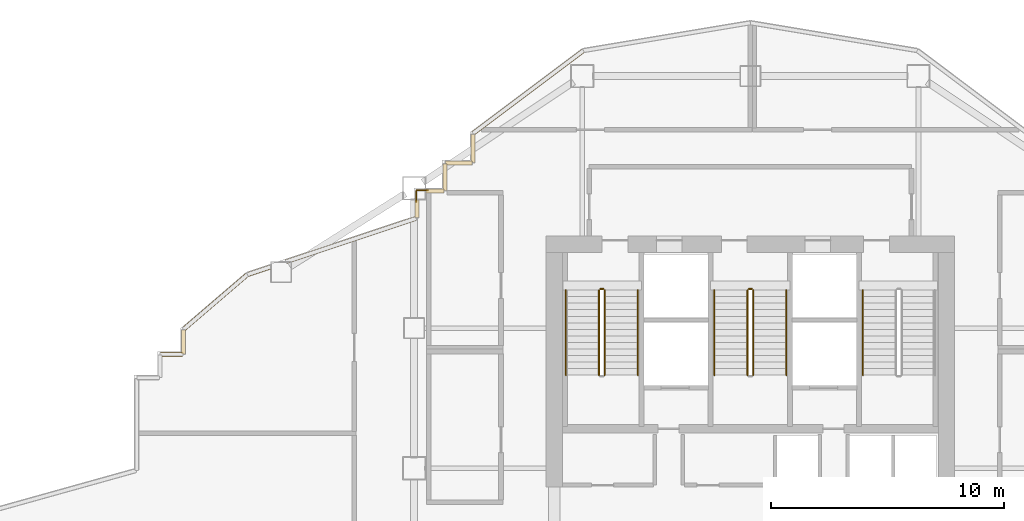
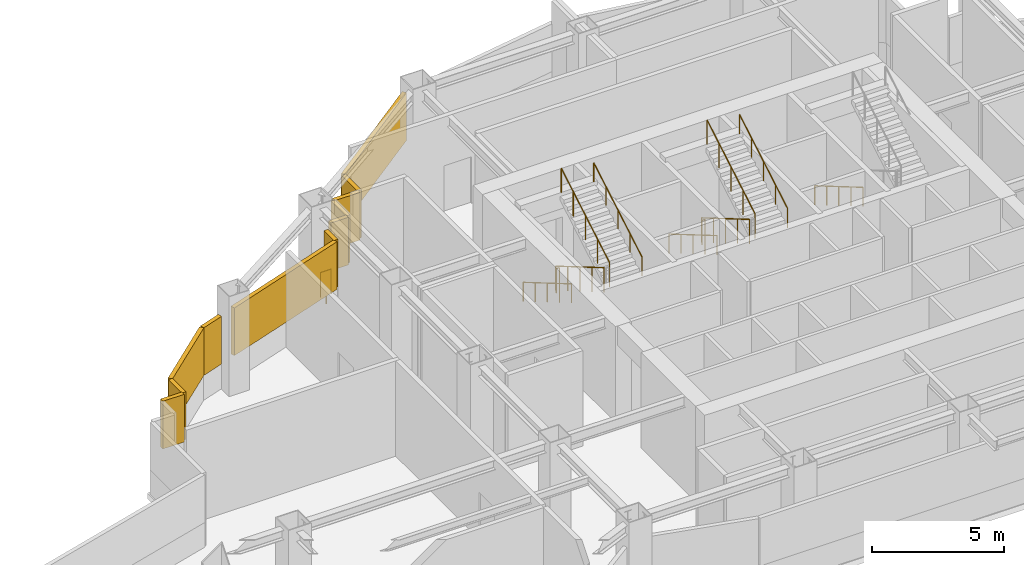
# One storey, part 10 of 12: 13 railings, 11 shading devices.
"""IFC4 building model written with IfcOpenShell, lengths in metres."""

from ifc_helpers import new_model, si_unit, direction, frame, origin, origin_2d, place, context, subcontext, project, spatial, rectangle, circle, extrude, material, type_object, element, save


model = new_model("IFC4")

# Units and contexts
model_context = context("Model", 3, precision=1e-05, world=origin(), true_north=direction((0.0, 1.0)))
body_context = subcontext(model_context, "Body", "Model", "MODEL_VIEW")
ifc_project = project(units=[si_unit("LENGTHUNIT", "METRE"), si_unit("AREAUNIT", "SQUARE_METRE"), si_unit("VOLUMEUNIT", "CUBIC_METRE"), si_unit("PLANEANGLEUNIT", "RADIAN"), si_unit("MASSUNIT", "GRAM", prefix="KILO")], contexts=[model_context])

# Site, building, storey
site_placement = place(None, origin())
site = spatial("IfcSite", under=ifc_project, at=site_placement, CompositionType="ELEMENT")
building_placement = place(site_placement, origin())
building = spatial("IfcBuilding", under=site, at=building_placement, Name="Haolan Belvedere Tower", CompositionType="ELEMENT")
storey_placement = place(building_placement, frame((0.0, 0.0, 136.39990234375)))
storey = spatial("IfcBuildingStorey", under=building, at=storey_placement, Name="L34", CompositionType="ELEMENT", Elevation=136.39990234375)

# Railings
ifc_material_1 = material(Name="Galvanised powder-coated steel guardrail", Category="steel")
railing_type_1 = type_object("IfcRailingType", Name="RL-REF-GRD-1150", PredefinedType="GUARDRAIL", material=ifc_material_1)
railing_1_placement = place(storey_placement, frame((24.090087890625, 45.010009765625, 0.0)))
element("IfcRailing", 1, at=railing_1_placement, inside=storey, type_object=railing_type_1, Name="L34 refuge corner safety guardrail 7A", PredefinedType="GUARDRAIL", context=body_context, shape_type="SweptSolid", body=[
    extrude(circle(Radius=0.02392578125, at=origin_2d()), frame((0.0, 0.0, 1.1259765625), z_axis=(0.0, 1.0, 0.0), x_axis=(-1.0, 0.0, 0.0)), (0.0, 0.0, 1.0), 0.469970703125),
    extrude(circle(Radius=0.02099609375, at=origin_2d()), origin(), (0.0, 0.0, 1.0), 1.101806640625),
    extrude(circle(Radius=0.02099609375, at=origin_2d()), frame((0.0, 0.469970703125, 0.0)), (0.0, 0.0, 1.0), 1.101806640625),
])
railing_2_placement = place(storey_placement, frame((24.1201171875, 45.510009765625, 0.0)))
element("IfcRailing", 2, at=railing_2_placement, inside=storey, type_object=railing_type_1, Name="L34 refuge corner safety guardrail 7B", PredefinedType="GUARDRAIL", context=body_context, shape_type="SweptSolid", body=[
    extrude(circle(Radius=0.02392578125, at=origin_2d()), frame((0.0, 0.0, 1.1259765625), z_axis=(1.0, 0.0, 0.0), x_axis=(0.0, 1.0, 0.0)), (0.0, 0.0, 1.0), 0.469970703125),
    extrude(circle(Radius=0.02099609375, at=origin_2d()), origin(), (0.0, 0.0, 1.0), 1.101806640625),
    extrude(circle(Radius=0.02099609375, at=origin_2d()), frame((0.469970703125, 0.0, 0.0)), (0.0, 0.0, 1.0), 1.101806640625),
])
ifc_material_2 = material(Name="Brushed stainless steel 304", Category="steel")
railing_type_2 = type_object("IfcRailingType", Name="RL-STAIR-GRD-1150", PredefinedType="GUARDRAIL", material=ifc_material_2)
railing_3_placement = place(storey_placement, frame((31.919921875, 41.22998046875, 0.164306640625)))
element("IfcRailing", 3, at=railing_3_placement, inside=storey, type_object=railing_type_2, Name="L34 ST1 stair guard 1", PredefinedType="GUARDRAIL", context=body_context, shape_type="SweptSolid", body=[
    extrude(circle(Radius=0.02392578125, at=origin_2d()), frame((0.0, 0.0, 1.1259765625), z_axis=(0.0, -0.862489892076, 0.506074289079), x_axis=(1.0, 0.0, 0.0)), (0.0, 0.0, 1.0), 4.22021484375),
    extrude(circle(Radius=0.02099609375, at=origin_2d()), origin(), (0.0, 0.0, 1.0), 1.101806640625),
    extrude(circle(Radius=0.02099609375, at=origin_2d()), frame((0.0, -0.909912109375, 0.533935546875)), (0.0, 0.0, 1.0), 1.101806640625),
    extrude(circle(Radius=0.02099609375, at=origin_2d()), frame((0.0, -1.81982421875, 1.06787109375)), (0.0, 0.0, 1.0), 1.101806640625),
    extrude(circle(Radius=0.02099609375, at=origin_2d()), frame((0.0, -2.72998046875, 1.601806640625)), (0.0, 0.0, 1.0), 1.101806640625),
    extrude(circle(Radius=0.02099609375, at=origin_2d()), frame((0.0, -3.639892578125, 2.1357421875)), (0.0, 0.0, 1.0), 1.101806640625),
])
railing_4_placement = place(storey_placement, frame((32.159912109375, 37.590087890625, 2.46435546875)))
element("IfcRailing", 4, at=railing_4_placement, inside=storey, type_object=railing_type_2, Name="L34 ST1 stair guard 3", PredefinedType="GUARDRAIL", context=body_context, shape_type="SweptSolid", body=[
    extrude(circle(Radius=0.02392578125, at=origin_2d()), frame((0.0, 0.0, 1.1259765625), z_axis=(0.0, 0.862489892076, 0.506074289079), x_axis=(-1.0, 0.0, 0.0)), (0.0, 0.0, 1.0), 4.22021484375),
    extrude(circle(Radius=0.02099609375, at=origin_2d()), origin(), (0.0, 0.0, 1.0), 1.101806640625),
    extrude(circle(Radius=0.02099609375, at=origin_2d()), frame((0.0, 0.909912109375, 0.533935546875)), (0.0, 0.0, 1.0), 1.101806640625),
    extrude(circle(Radius=0.02099609375, at=origin_2d()), frame((0.0, 1.81982421875, 1.06787109375)), (0.0, 0.0, 1.0), 1.101806640625),
    extrude(circle(Radius=0.02099609375, at=origin_2d()), frame((0.0, 2.72998046875, 1.601806640625)), (0.0, 0.0, 1.0), 1.101806640625),
    extrude(circle(Radius=0.02099609375, at=origin_2d()), frame((0.0, 3.639892578125, 2.1357421875)), (0.0, 0.0, 1.0), 1.101806640625),
])
railing_5_placement = place(storey_placement, frame((31.969970703125, 41.280029296875, 0.0)))
element("IfcRailing", 5, at=railing_5_placement, inside=storey, type_object=railing_type_2, Name="L34 ST1 stair guard 4", PredefinedType="GUARDRAIL", context=body_context, shape_type="SweptSolid", body=[
    extrude(circle(Radius=0.02392578125, at=origin_2d()), frame((0.0, 0.0, 1.1259765625), z_axis=(1.0, 0.0, 0.0), x_axis=(0.0, 1.0, 0.0)), (0.0, 0.0, 1.0), 0.14013671875),
    extrude(circle(Radius=0.02099609375, at=origin_2d()), origin(), (0.0, 0.0, 1.0), 1.101806640625),
    extrude(circle(Radius=0.02099609375, at=origin_2d()), frame((0.14013671875, 0.0, 0.0)), (0.0, 0.0, 1.0), 1.101806640625),
])
railing_6_placement = place(storey_placement, frame((38.280029296875, 41.22998046875, 0.164306640625)))
element("IfcRailing", 6, at=railing_6_placement, inside=storey, type_object=railing_type_2, Name="L34 ST3 stair guard 1", PredefinedType="GUARDRAIL", context=body_context, shape_type="SweptSolid", body=[
    extrude(circle(Radius=0.02392578125, at=origin_2d()), frame((0.0, 0.0, 1.1259765625), z_axis=(0.0, -0.862489892076, 0.506074289079), x_axis=(1.0, 0.0, 0.0)), (0.0, 0.0, 1.0), 4.22021484375),
    extrude(circle(Radius=0.02099609375, at=origin_2d()), origin(), (0.0, 0.0, 1.0), 1.101806640625),
    extrude(circle(Radius=0.02099609375, at=origin_2d()), frame((0.0, -0.909912109375, 0.533935546875)), (0.0, 0.0, 1.0), 1.101806640625),
    extrude(circle(Radius=0.02099609375, at=origin_2d()), frame((0.0, -1.81982421875, 1.06787109375)), (0.0, 0.0, 1.0), 1.101806640625),
    extrude(circle(Radius=0.02099609375, at=origin_2d()), frame((0.0, -2.72998046875, 1.601806640625)), (0.0, 0.0, 1.0), 1.101806640625),
    extrude(circle(Radius=0.02099609375, at=origin_2d()), frame((0.0, -3.639892578125, 2.1357421875)), (0.0, 0.0, 1.0), 1.101806640625),
])
railing_7_placement = place(storey_placement, frame((38.52001953125, 37.590087890625, 2.46435546875)))
element("IfcRailing", 7, at=railing_7_placement, inside=storey, type_object=railing_type_2, Name="L34 ST3 stair guard 3", PredefinedType="GUARDRAIL", context=body_context, shape_type="SweptSolid", body=[
    extrude(circle(Radius=0.02392578125, at=origin_2d()), frame((0.0, 0.0, 1.1259765625), z_axis=(0.0, 0.862489892076, 0.506074289079), x_axis=(-1.0, 0.0, 0.0)), (0.0, 0.0, 1.0), 4.22021484375),
    extrude(circle(Radius=0.02099609375, at=origin_2d()), origin(), (0.0, 0.0, 1.0), 1.101806640625),
    extrude(circle(Radius=0.02099609375, at=origin_2d()), frame((0.0, 0.909912109375, 0.533935546875)), (0.0, 0.0, 1.0), 1.101806640625),
    extrude(circle(Radius=0.02099609375, at=origin_2d()), frame((0.0, 1.81982421875, 1.06787109375)), (0.0, 0.0, 1.0), 1.101806640625),
    extrude(circle(Radius=0.02099609375, at=origin_2d()), frame((0.0, 2.72998046875, 1.601806640625)), (0.0, 0.0, 1.0), 1.101806640625),
    extrude(circle(Radius=0.02099609375, at=origin_2d()), frame((0.0, 3.639892578125, 2.1357421875)), (0.0, 0.0, 1.0), 1.101806640625),
])
railing_8_placement = place(storey_placement, frame((38.330078125, 41.280029296875, 0.0)))
element("IfcRailing", 8, at=railing_8_placement, inside=storey, type_object=railing_type_2, Name="L34 ST3 stair guard 4", PredefinedType="GUARDRAIL", context=body_context, shape_type="SweptSolid", body=[
    extrude(circle(Radius=0.02392578125, at=origin_2d()), frame((0.0, 0.0, 1.1259765625), z_axis=(1.0, 0.0, 0.0), x_axis=(0.0, 1.0, 0.0)), (0.0, 0.0, 1.0), 0.139892578125),
    extrude(circle(Radius=0.02099609375, at=origin_2d()), origin(), (0.0, 0.0, 1.0), 1.101806640625),
    extrude(circle(Radius=0.02099609375, at=origin_2d()), frame((0.139892578125, 0.0, 0.0)), (0.0, 0.0, 1.0), 1.101806640625),
])
railing_type_3 = type_object("IfcRailingType", Name="RL-STAIR-HND-900", PredefinedType="HANDRAIL", material=ifc_material_2)
railing_9_placement = place(storey_placement, frame((30.5, 41.22998046875, 0.164306640625)))
element("IfcRailing", 9, at=railing_9_placement, inside=storey, type_object=railing_type_3, Name="L34 ST1 stair handrail 1", PredefinedType="HANDRAIL", context=body_context, shape_type="SweptSolid", body=[
    extrude(circle(Radius=0.02392578125, at=origin_2d()), frame((0.0, 0.0, 0.8759765625), z_axis=(0.0, -0.862489892076, 0.506074289079), x_axis=(1.0, 0.0, 0.0)), (0.0, 0.0, 1.0), 4.22021484375),
    extrude(circle(Radius=0.02099609375, at=origin_2d()), origin(), (0.0, 0.0, 1.0), 0.851806640625),
    extrude(circle(Radius=0.02099609375, at=origin_2d()), frame((0.0, -0.909912109375, 0.533935546875)), (0.0, 0.0, 1.0), 0.851806640625),
    extrude(circle(Radius=0.02099609375, at=origin_2d()), frame((0.0, -1.81982421875, 1.06787109375)), (0.0, 0.0, 1.0), 0.851806640625),
    extrude(circle(Radius=0.02099609375, at=origin_2d()), frame((0.0, -2.72998046875, 1.601806640625)), (0.0, 0.0, 1.0), 0.851806640625),
    extrude(circle(Radius=0.02099609375, at=origin_2d()), frame((0.0, -3.639892578125, 2.1357421875)), (0.0, 0.0, 1.0), 0.851806640625),
])
railing_10_placement = place(storey_placement, frame((33.580078125, 37.590087890625, 2.46435546875)))
element("IfcRailing", 10, at=railing_10_placement, inside=storey, type_object=railing_type_3, Name="L34 ST1 stair handrail 2", PredefinedType="HANDRAIL", context=body_context, shape_type="SweptSolid", body=[
    extrude(circle(Radius=0.02392578125, at=origin_2d()), frame((0.0, 0.0, 0.8759765625), z_axis=(0.0, 0.862489892076, 0.506074289079), x_axis=(-1.0, 0.0, 0.0)), (0.0, 0.0, 1.0), 4.22021484375),
    extrude(circle(Radius=0.02099609375, at=origin_2d()), origin(), (0.0, 0.0, 1.0), 0.851806640625),
    extrude(circle(Radius=0.02099609375, at=origin_2d()), frame((0.0, 0.909912109375, 0.533935546875)), (0.0, 0.0, 1.0), 0.851806640625),
    extrude(circle(Radius=0.02099609375, at=origin_2d()), frame((0.0, 1.81982421875, 1.06787109375)), (0.0, 0.0, 1.0), 0.851806640625),
    extrude(circle(Radius=0.02099609375, at=origin_2d()), frame((0.0, 2.72998046875, 1.601806640625)), (0.0, 0.0, 1.0), 0.851806640625),
    extrude(circle(Radius=0.02099609375, at=origin_2d()), frame((0.0, 3.639892578125, 2.1357421875)), (0.0, 0.0, 1.0), 0.851806640625),
])
railing_11_placement = place(storey_placement, frame((36.860107421875, 41.22998046875, 0.164306640625)))
element("IfcRailing", 11, at=railing_11_placement, inside=storey, type_object=railing_type_3, Name="L34 ST3 stair handrail 1", PredefinedType="HANDRAIL", context=body_context, shape_type="SweptSolid", body=[
    extrude(circle(Radius=0.02392578125, at=origin_2d()), frame((0.0, 0.0, 0.8759765625), z_axis=(0.0, -0.862489892076, 0.506074289079), x_axis=(1.0, 0.0, 0.0)), (0.0, 0.0, 1.0), 4.22021484375),
    extrude(circle(Radius=0.02099609375, at=origin_2d()), origin(), (0.0, 0.0, 1.0), 0.851806640625),
    extrude(circle(Radius=0.02099609375, at=origin_2d()), frame((0.0, -0.909912109375, 0.533935546875)), (0.0, 0.0, 1.0), 0.851806640625),
    extrude(circle(Radius=0.02099609375, at=origin_2d()), frame((0.0, -1.81982421875, 1.06787109375)), (0.0, 0.0, 1.0), 0.851806640625),
    extrude(circle(Radius=0.02099609375, at=origin_2d()), frame((0.0, -2.72998046875, 1.601806640625)), (0.0, 0.0, 1.0), 0.851806640625),
    extrude(circle(Radius=0.02099609375, at=origin_2d()), frame((0.0, -3.639892578125, 2.1357421875)), (0.0, 0.0, 1.0), 0.851806640625),
])
railing_12_placement = place(storey_placement, frame((39.93994140625, 37.590087890625, 2.46435546875)))
element("IfcRailing", 12, at=railing_12_placement, inside=storey, type_object=railing_type_3, Name="L34 ST3 stair handrail 2", PredefinedType="HANDRAIL", context=body_context, shape_type="SweptSolid", body=[
    extrude(circle(Radius=0.02392578125, at=origin_2d()), frame((0.0, 0.0, 0.8759765625), z_axis=(0.0, 0.862489892076, 0.506074289079), x_axis=(-1.0, 0.0, 0.0)), (0.0, 0.0, 1.0), 4.22021484375),
    extrude(circle(Radius=0.02099609375, at=origin_2d()), origin(), (0.0, 0.0, 1.0), 0.851806640625),
    extrude(circle(Radius=0.02099609375, at=origin_2d()), frame((0.0, 0.909912109375, 0.533935546875)), (0.0, 0.0, 1.0), 0.851806640625),
    extrude(circle(Radius=0.02099609375, at=origin_2d()), frame((0.0, 1.81982421875, 1.06787109375)), (0.0, 0.0, 1.0), 0.851806640625),
    extrude(circle(Radius=0.02099609375, at=origin_2d()), frame((0.0, 2.72998046875, 1.601806640625)), (0.0, 0.0, 1.0), 0.851806640625),
    extrude(circle(Radius=0.02099609375, at=origin_2d()), frame((0.0, 3.639892578125, 2.1357421875)), (0.0, 0.0, 1.0), 0.851806640625),
])
railing_13_placement = place(storey_placement, frame((43.219970703125, 41.22998046875, 0.164306640625)))
element("IfcRailing", 13, at=railing_13_placement, inside=storey, type_object=railing_type_3, Name="L34 ST2 stair handrail 1", PredefinedType="HANDRAIL", context=body_context, shape_type="SweptSolid", body=[
    extrude(circle(Radius=0.02392578125, at=origin_2d()), frame((0.0, 0.0, 0.8759765625), z_axis=(0.0, -0.862489892076, 0.506074289079), x_axis=(1.0, 0.0, 0.0)), (0.0, 0.0, 1.0), 4.22021484375),
    extrude(circle(Radius=0.02099609375, at=origin_2d()), origin(), (0.0, 0.0, 1.0), 0.851806640625),
    extrude(circle(Radius=0.02099609375, at=origin_2d()), frame((0.0, -0.909912109375, 0.533935546875)), (0.0, 0.0, 1.0), 0.851806640625),
    extrude(circle(Radius=0.02099609375, at=origin_2d()), frame((0.0, -1.81982421875, 1.06787109375)), (0.0, 0.0, 1.0), 0.851806640625),
    extrude(circle(Radius=0.02099609375, at=origin_2d()), frame((0.0, -2.72998046875, 1.601806640625)), (0.0, 0.0, 1.0), 0.851806640625),
    extrude(circle(Radius=0.02099609375, at=origin_2d()), frame((0.0, -3.639892578125, 2.1357421875)), (0.0, 0.0, 1.0), 0.851806640625),
])

# Shading devices
ifc_material_3 = material(Name="Anodised champagne-silver aluminium 6063-T6", Category="aluminium")
shading_device_type = type_object("IfcShadingDeviceType", Name="SHD-LOUV-180", PredefinedType="JALOUSIE", material=ifc_material_3)
shading_device_1_placement = place(storey_placement, frame((28.88427734375, 49.713134765625, 1.14990234375), z_axis=(0.0, 0.0, 1.0), x_axis=(-0.799998928149, -0.600001429133, 0.0)))
element("IfcShadingDevice", 14, at=shading_device_1_placement, inside=storey, type_object=shading_device_type, Name="L34 refuge storm-proof louvre bank 29.1", PredefinedType="JALOUSIE", context=body_context, shape_type="SweptSolid", body=[
    extrude(rectangle(XDim=5.87060546875, YDim=0.179931640625, at=origin_2d()), origin(), (0.0, 0.0, 1.0), 2.199951171875),
])
shading_device_2_placement = place(storey_placement, frame((26.52001953125, 47.302490234375, 1.14990234375), z_axis=(0.0, 0.0, 1.0), x_axis=(0.0, -1.0, 0.0)))
element("IfcShadingDevice", 15, at=shading_device_2_placement, inside=storey, type_object=shading_device_type, Name="L34 refuge storm-proof louvre bank 30.1", PredefinedType="JALOUSIE", context=body_context, shape_type="SweptSolid", body=[
    extrude(rectangle(XDim=1.205078125, YDim=0.179931640625, at=origin_2d()), origin(), (0.0, 0.0, 1.0), 2.199951171875),
])
for number, where, z_axis, x_axis, name in (
    (16, (25.905029296875, 46.679931640625, 1.14990234375), (0.0, 0.0, 1.0), (-1.0, 0.0, 0.0), "L34 refuge storm-proof louvre bank 31.1"),
    (17, (25.320068359375, 46.06494140625, 1.14990234375), (0.0, 0.0, 1.0), (0.0, -1.0, 0.0), "L34 refuge storm-proof louvre bank 32.1"),
):
    element("IfcShadingDevice", number, at=place(storey_placement, frame(where, z_axis=z_axis, x_axis=x_axis)), inside=storey, type_object=shading_device_type, Name=name, PredefinedType="JALOUSIE", context=body_context, shape_type="SweptSolid", body=[
        extrude(rectangle(XDim=1.1298828125, YDim=0.179931640625, at=origin_2d()), origin(), (0.0, 0.0, 1.0), 2.199951171875),
    ])
shading_device_3_placement = place(storey_placement, frame((24.89111328125, 45.47998046875, 1.14990234375), z_axis=(0.0, 0.0, 1.0), x_axis=(-1.0, 0.0, 0.0)))
element("IfcShadingDevice", 18, at=shading_device_3_placement, inside=storey, type_object=shading_device_type, Name="L34 refuge storm-proof louvre bank 33.1", PredefinedType="JALOUSIE", context=body_context, shape_type="SweptSolid", body=[
    extrude(rectangle(XDim=0.758056640625, YDim=0.179931640625, at=origin_2d()), origin(), (0.0, 0.0, 1.0), 2.199951171875),
])
shading_device_4_placement = place(storey_placement, frame((24.1201171875, 44.710693359375, 1.14990234375), z_axis=(0.0, 0.0, 1.0), x_axis=(0.0, -1.0, 0.0)))
element("IfcShadingDevice", 19, at=shading_device_4_placement, inside=storey, type_object=shading_device_type, Name="L34 refuge storm-proof louvre bank 34.1", PredefinedType="JALOUSIE", context=body_context, shape_type="SweptSolid", body=[
    extrude(rectangle(XDim=0.75439453125, YDim=0.179931640625, at=origin_2d()), origin(), (0.0, 0.0, 1.0), 2.199951171875),
])
shading_device_5_placement = place(storey_placement, frame((21.298583984375, 43.373046875, 1.14990234375), z_axis=(0.0, 0.0, 1.0), x_axis=(-0.948683015593, -0.316228613389, 0.0)))
element("IfcShadingDevice", 20, at=shading_device_5_placement, inside=storey, type_object=shading_device_type, Name="L34 refuge storm-proof louvre bank 35.1", PredefinedType="JALOUSIE", context=body_context, shape_type="SweptSolid", body=[
    extrude(rectangle(XDim=5.848388671875, YDim=0.179931640625, at=origin_2d()), origin(), (0.0, 0.0, 1.0), 2.199951171875),
])
shading_device_6_placement = place(storey_placement, frame((17.359130859375, 42.059814453125, 1.14990234375), z_axis=(0.0, 0.0, 1.0), x_axis=(-0.948683015593, -0.316228613389, 0.0)))
element("IfcShadingDevice", 21, at=shading_device_6_placement, inside=storey, type_object=shading_device_type, Name="L34 refuge storm-proof louvre bank 35.2", PredefinedType="JALOUSIE", context=body_context, shape_type="SweptSolid", body=[
    extrude(rectangle(XDim=1.01171875, YDim=0.179931640625, at=origin_2d()), origin(), (0.0, 0.0, 1.0), 2.199951171875),
])
shading_device_7_placement = place(storey_placement, frame((15.489990234375, 40.71923828125, 1.14990234375), z_axis=(0.0, 0.0, 1.0), x_axis=(-0.759248590567, -0.650800720438, 0.0)))
element("IfcShadingDevice", 22, at=shading_device_7_placement, inside=storey, type_object=shading_device_type, Name="L34 refuge storm-proof louvre bank 36.1", PredefinedType="JALOUSIE", context=body_context, shape_type="SweptSolid", body=[
    extrude(rectangle(XDim=3.569091796875, YDim=0.179931640625, at=origin_2d()), origin(), (0.0, 0.0, 1.0), 2.199951171875),
])
shading_device_8_placement = place(storey_placement, frame((14.1201171875, 39.012451171875, 1.14990234375), z_axis=(0.0, 0.0, 1.0), x_axis=(0.0, -1.0, 0.0)))
element("IfcShadingDevice", 23, at=shading_device_8_placement, inside=storey, type_object=shading_device_type, Name="L34 refuge storm-proof louvre bank 37.1", PredefinedType="JALOUSIE", context=body_context, shape_type="SweptSolid", body=[
    extrude(rectangle(XDim=1.02490234375, YDim=0.179931640625, at=origin_2d()), origin(), (0.0, 0.0, 1.0), 2.199951171875),
])
shading_device_9_placement = place(storey_placement, frame((13.60498046875, 38.47998046875, 1.14990234375), z_axis=(0.0, 0.0, 1.0), x_axis=(-1.0, 0.0, 0.0)))
element("IfcShadingDevice", 24, at=shading_device_9_placement, inside=storey, type_object=shading_device_type, Name="L34 refuge storm-proof louvre bank 38.1", PredefinedType="JALOUSIE", context=body_context, shape_type="SweptSolid", body=[
    extrude(rectangle(XDim=0.929931640625, YDim=0.179931640625, at=origin_2d()), origin(), (0.0, 0.0, 1.0), 2.199951171875),
])

save(model, "model.ifc")
